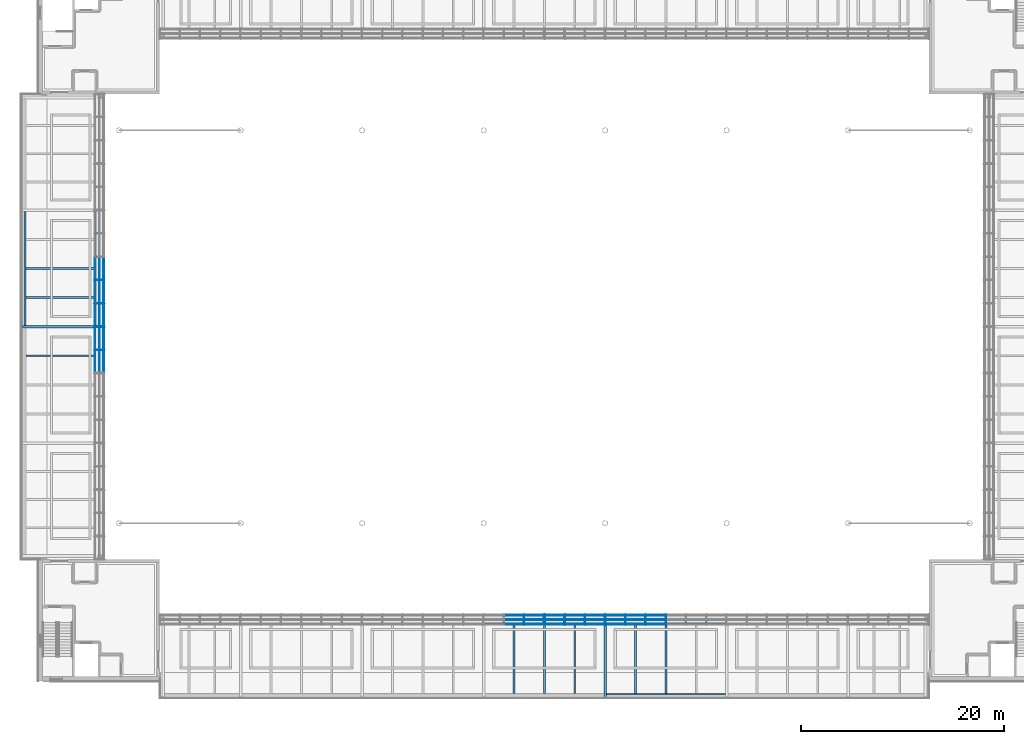
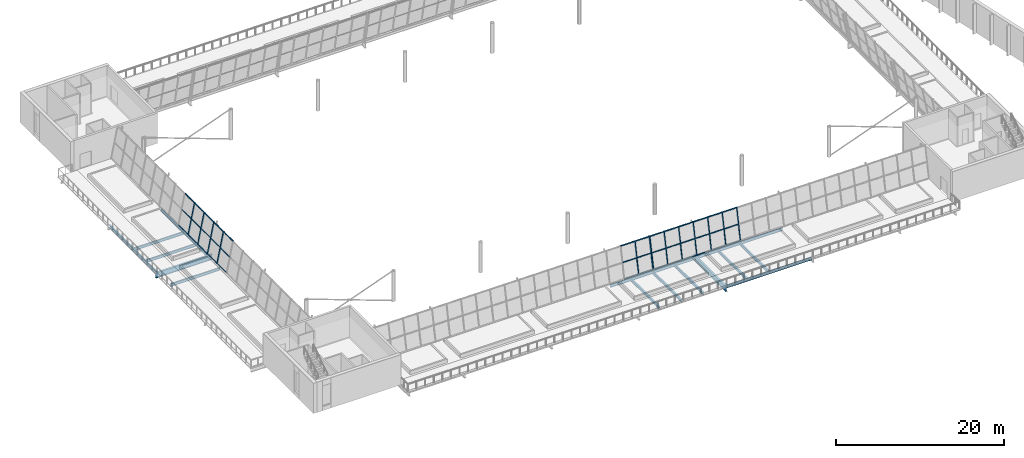
# One storey, part 12 of 58: 52 members, 15 beams, 3 elements without a shape of their own.
"""IFC4 building model written with IfcOpenShell, lengths in metres."""

from ifc_helpers import new_model, si_unit, direction, frame, origin, origin_2d, place, context, subcontext, project, spatial, rectangle, i_section, extrude, material, layer, layer_set, material_profile, profile_set, type_object, element, aggregate, save


model = new_model("IFC4")

# Units and contexts
model_context = context("Model", 3, precision=1e-05, world=origin(), true_north=direction((0.0, 1.0)))
body_context = subcontext(model_context, "Body", "Model", "MODEL_VIEW")
ifc_project = project(units=[si_unit("LENGTHUNIT", "METRE"), si_unit("AREAUNIT", "SQUARE_METRE"), si_unit("VOLUMEUNIT", "CUBIC_METRE"), si_unit("PLANEANGLEUNIT", "RADIAN"), si_unit("MASSUNIT", "GRAM", prefix="KILO")], contexts=[model_context])

# Site, building, storey
site_placement = place(None, origin())
site = spatial("IfcSite", under=ifc_project, at=site_placement, CompositionType="ELEMENT")
building_placement = place(site_placement, origin())
building = spatial("IfcBuilding", under=site, at=building_placement, Name="Windward Yard Aquatics Centre", CompositionType="ELEMENT")
storey_placement = place(building_placement, frame((0.0, 0.0, 13.800048828125)))
storey = spatial("IfcBuildingStorey", under=building, at=storey_placement, Name="L03", CompositionType="ELEMENT", Elevation=13.800048828125)

# Curtain wall, members
ifc_material_1 = material(Name="Glass and aluminium curtain wall", Category="aluminium")
ifc_layer = layer(ifc_material_1, 0.179931640625)
ifc_layer_set = layer_set([ifc_layer], Name="H curtain wall tier 2 double glazed 6+16+6")
curtain_wall_type = type_object("IfcCurtainWallType", Name="H curtain wall tier 2 double glazed 6+16+6", PredefinedType="NOTDEFINED", material=ifc_layer_set)
curtain_wall_1_placement = place(storey_placement, origin())
curtain_wall_1 = element("IfcCurtainWall", 1, at=curtain_wall_1_placement, inside=storey, type_object=curtain_wall_type, Name="Tier 2 glazing S L03", PredefinedType="NOTDEFINED")
ifc_material_2 = material(Name="Aluminium 6063-T6 anodised", Category="aluminium")
ifc_material_profile_1 = material_profile(ifc_material_2, rectangle(XDim=0.06494140625, YDim=0.179931640625, at=origin_2d()), Name="H CW mullion 65x180")
ifc_profile_set_1 = profile_set([ifc_material_profile_1], Name="Aluminium 6063-T6 anodised")
member_type_1 = type_object("IfcMemberType", Name="H CW mullion 65x180", PredefinedType="MULLION", material=ifc_profile_set_1)
member_1_placement = place(storey_placement, frame((99.995361328125, 31.61376953125, 0.017822265625), z_axis=(0.0, 0.199327811945, 0.979932866775), x_axis=(-1.0, 0.0, 0.0)))
member_1 = element("IfcMember", 2, at=member_1_placement, type_object=member_type_1, Name="G2SA mullion 19", PredefinedType="MULLION", context=body_context, shape_type="SweptSolid", body=[
    extrude(rectangle(XDim=0.06494140625, YDim=0.179931640625, at=origin_2d()), origin(), (0.0, 0.0, 1.0), 4.471923828125),
])
member_2_placement = place(storey_placement, frame((101.96240234375, 31.61376953125, 0.017822265625), z_axis=(0.0, 0.199327811945, 0.979932866775), x_axis=(-1.0, 0.0, 0.0)))
member_2 = element("IfcMember", 3, at=member_2_placement, type_object=member_type_1, Name="G2SA mullion 20", PredefinedType="MULLION", context=body_context, shape_type="SweptSolid", body=[
    extrude(rectangle(XDim=0.06494140625, YDim=0.179931640625, at=origin_2d()), origin(), (0.0, 0.0, 1.0), 4.471923828125),
])

curtain_wall_2_placement = place(storey_placement, origin())
curtain_wall_2 = element("IfcCurtainWall", 4, at=curtain_wall_2_placement, inside=storey, type_object=curtain_wall_type, Name="Tier 2 glazing S L03", PredefinedType="NOTDEFINED")
member_3_placement = place(storey_placement, frame((102.03759765625, 31.61376953125, 0.017822265625), z_axis=(0.0, 0.199327811945, 0.979932866775), x_axis=(-1.0, 0.0, 0.0)))
member_3 = element("IfcMember", 5, at=member_3_placement, type_object=member_type_1, Name="G2SB mullion 1", PredefinedType="MULLION", context=body_context, shape_type="SweptSolid", body=[
    extrude(rectangle(XDim=0.06494140625, YDim=0.179931640625, at=origin_2d()), origin(), (0.0, 0.0, 1.0), 4.471923828125),
])
member_4_placement = place(storey_placement, frame((104.004638671875, 31.61376953125, 0.017822265625), z_axis=(0.0, 0.199327811945, 0.979932866775), x_axis=(-1.0, 0.0, 0.0)))
member_4 = element("IfcMember", 6, at=member_4_placement, type_object=member_type_1, Name="G2SB mullion 2", PredefinedType="MULLION", context=body_context, shape_type="SweptSolid", body=[
    extrude(rectangle(XDim=0.06494140625, YDim=0.179931640625, at=origin_2d()), origin(), (0.0, 0.0, 1.0), 4.471923828125),
])
member_5_placement = place(storey_placement, frame((106.00439453125, 31.61376953125, 0.017822265625), z_axis=(0.0, 0.199327811945, 0.979932866775), x_axis=(-1.0, 0.0, 0.0)))
member_5 = element("IfcMember", 7, at=member_5_placement, type_object=member_type_1, Name="G2SB mullion 3", PredefinedType="MULLION", context=body_context, shape_type="SweptSolid", body=[
    extrude(rectangle(XDim=0.06494140625, YDim=0.179931640625, at=origin_2d()), origin(), (0.0, 0.0, 1.0), 4.471923828125),
])
member_6_placement = place(storey_placement, frame((108.004150390625, 31.61376953125, 0.017822265625), z_axis=(0.0, 0.199327811945, 0.979932866775), x_axis=(-1.0, 0.0, 0.0)))
member_6 = element("IfcMember", 8, at=member_6_placement, type_object=member_type_1, Name="G2SB mullion 4", PredefinedType="MULLION", context=body_context, shape_type="SweptSolid", body=[
    extrude(rectangle(XDim=0.06494140625, YDim=0.179931640625, at=origin_2d()), origin(), (0.0, 0.0, 1.0), 4.471923828125),
])
member_7_placement = place(storey_placement, frame((110.00390625, 31.61376953125, 0.017822265625), z_axis=(0.0, 0.199327811945, 0.979932866775), x_axis=(-1.0, 0.0, 0.0)))
member_7 = element("IfcMember", 9, at=member_7_placement, type_object=member_type_1, Name="G2SB mullion 5", PredefinedType="MULLION", context=body_context, shape_type="SweptSolid", body=[
    extrude(rectangle(XDim=0.06494140625, YDim=0.179931640625, at=origin_2d()), origin(), (0.0, 0.0, 1.0), 4.471923828125),
])
member_8_placement = place(storey_placement, frame((112.003662109375, 31.61376953125, 0.017822265625), z_axis=(0.0, 0.199327811945, 0.979932866775), x_axis=(-1.0, 0.0, 0.0)))
member_8 = element("IfcMember", 10, at=member_8_placement, type_object=member_type_1, Name="G2SB mullion 6", PredefinedType="MULLION", context=body_context, shape_type="SweptSolid", body=[
    extrude(rectangle(XDim=0.06494140625, YDim=0.179931640625, at=origin_2d()), origin(), (0.0, 0.0, 1.0), 4.471923828125),
])
member_9_placement = place(storey_placement, frame((114.00341796875, 31.61376953125, 0.017822265625), z_axis=(0.0, 0.199327811945, 0.979932866775), x_axis=(-1.0, 0.0, 0.0)))
member_9 = element("IfcMember", 11, at=member_9_placement, type_object=member_type_1, Name="G2SB mullion 7", PredefinedType="MULLION", context=body_context, shape_type="SweptSolid", body=[
    extrude(rectangle(XDim=0.06494140625, YDim=0.179931640625, at=origin_2d()), origin(), (0.0, 0.0, 1.0), 4.471923828125),
])

curtain_wall_3_placement = place(storey_placement, origin())
curtain_wall_3 = element("IfcCurtainWall", 12, at=curtain_wall_3_placement, inside=storey, type_object=curtain_wall_type, Name="Tier 2 glazing W L03", PredefinedType="NOTDEFINED")
member_10_placement = place(storey_placement, frame((57.61376953125, 58.699951171875, 0.017822265625), z_axis=(0.199327811945, 0.0, 0.979932866775), x_axis=(0.0, 1.0, 0.0)))
member_10 = element("IfcMember", 13, at=member_10_placement, type_object=member_type_1, Name="G2WA mullion 10", PredefinedType="MULLION", context=body_context, shape_type="SweptSolid", body=[
    extrude(rectangle(XDim=0.06494140625, YDim=0.179931640625, at=origin_2d()), origin(), (0.0, 0.0, 1.0), 4.471923828125),
])
member_11_placement = place(storey_placement, frame((57.61376953125, 61.0, 0.017822265625), z_axis=(0.199327811945, 0.0, 0.979932866775), x_axis=(0.0, 1.0, 0.0)))
member_11 = element("IfcMember", 14, at=member_11_placement, type_object=member_type_1, Name="G2WA mullion 11", PredefinedType="MULLION", context=body_context, shape_type="SweptSolid", body=[
    extrude(rectangle(XDim=0.06494140625, YDim=0.179931640625, at=origin_2d()), origin(), (0.0, 0.0, 1.0), 4.471923828125),
])
member_12_placement = place(storey_placement, frame((57.61376953125, 63.300048828125, 0.017822265625), z_axis=(0.199327811945, 0.0, 0.979932866775), x_axis=(0.0, 1.0, 0.0)))
member_12 = element("IfcMember", 15, at=member_12_placement, type_object=member_type_1, Name="G2WA mullion 12", PredefinedType="MULLION", context=body_context, shape_type="SweptSolid", body=[
    extrude(rectangle(XDim=0.06494140625, YDim=0.179931640625, at=origin_2d()), origin(), (0.0, 0.0, 1.0), 4.471923828125),
])
member_13_placement = place(storey_placement, frame((57.61376953125, 65.60009765625, 0.017822265625), z_axis=(0.199327811945, 0.0, 0.979932866775), x_axis=(0.0, 1.0, 0.0)))
member_13 = element("IfcMember", 16, at=member_13_placement, type_object=member_type_1, Name="G2WA mullion 13", PredefinedType="MULLION", context=body_context, shape_type="SweptSolid", body=[
    extrude(rectangle(XDim=0.06494140625, YDim=0.179931640625, at=origin_2d()), origin(), (0.0, 0.0, 1.0), 4.471923828125),
])

# Member
ifc_material_profile_2 = material_profile(ifc_material_2, rectangle(XDim=0.06494140625, YDim=0.10009765625, at=origin_2d()), Name="H CW transom 65x100")
ifc_profile_set_2 = profile_set([ifc_material_profile_2], Name="Aluminium 6063-T6 anodised")
member_type_2 = type_object("IfcMemberType", Name="H CW transom 65x100", PredefinedType="USERDEFINED", material=ifc_profile_set_2)
member_14_placement = place(storey_placement, frame((98.028076171875, 31.621337890625, 0.055419921875), z_axis=(1.0, 0.0, 0.0), x_axis=(0.0, -0.979924704642, 0.199367934315)))
member_14 = element("IfcMember", 17, at=member_14_placement, type_object=member_type_2, Name="G2SA transom 18.1", ObjectType="TRANSOM", PredefinedType="USERDEFINED", context=body_context, shape_type="SweptSolid", body=[
    extrude(rectangle(XDim=0.06494140625, YDim=0.10009765625, at=origin_2d()), origin(), (0.0, 0.0, 1.0), 1.9345703125),
])

member_15_placement = place(storey_placement, frame((98.028076171875, 32.0576171875, 2.199951171875), z_axis=(1.0, 0.0, 0.0), x_axis=(0.0, -0.979924704642, 0.199367934315)))
member_15 = element("IfcMember", 18, at=member_15_placement, type_object=member_type_2, Name="G2SA transom 18.2", ObjectType="TRANSOM", PredefinedType="USERDEFINED", context=body_context, shape_type="SweptSolid", body=[
    extrude(rectangle(XDim=0.06494140625, YDim=0.10009765625, at=origin_2d()), origin(), (0.0, 0.0, 1.0), 1.9345703125),
])

member_16_placement = place(storey_placement, frame((98.028076171875, 32.4951171875, 4.35107421875), z_axis=(1.0, 0.0, 0.0), x_axis=(0.0, -0.979924704642, 0.199367934315)))
member_16 = element("IfcMember", 19, at=member_16_placement, type_object=member_type_2, Name="G2SA transom 18.3", ObjectType="TRANSOM", PredefinedType="USERDEFINED", context=body_context, shape_type="SweptSolid", body=[
    extrude(rectangle(XDim=0.06494140625, YDim=0.10009765625, at=origin_2d()), origin(), (0.0, 0.0, 1.0), 1.9345703125),
])

member_17_placement = place(storey_placement, frame((100.02783203125, 31.621337890625, 0.055419921875), z_axis=(1.0, 0.0, 0.0), x_axis=(0.0, -0.979924704642, 0.199367934315)))
member_17 = element("IfcMember", 20, at=member_17_placement, type_object=member_type_2, Name="G2SA transom 19.1", ObjectType="TRANSOM", PredefinedType="USERDEFINED", context=body_context, shape_type="SweptSolid", body=[
    extrude(rectangle(XDim=0.06494140625, YDim=0.10009765625, at=origin_2d()), origin(), (0.0, 0.0, 1.0), 1.902099609375),
])

member_18_placement = place(storey_placement, frame((100.02783203125, 32.0576171875, 2.199951171875), z_axis=(1.0, 0.0, 0.0), x_axis=(0.0, -0.979924704642, 0.199367934315)))
member_18 = element("IfcMember", 21, at=member_18_placement, type_object=member_type_2, Name="G2SA transom 19.2", ObjectType="TRANSOM", PredefinedType="USERDEFINED", context=body_context, shape_type="SweptSolid", body=[
    extrude(rectangle(XDim=0.06494140625, YDim=0.10009765625, at=origin_2d()), origin(), (0.0, 0.0, 1.0), 1.902099609375),
])

member_19_placement = place(storey_placement, frame((100.02783203125, 32.4951171875, 4.35107421875), z_axis=(1.0, 0.0, 0.0), x_axis=(0.0, -0.979924704642, 0.199367934315)))
member_19 = element("IfcMember", 22, at=member_19_placement, type_object=member_type_2, Name="G2SA transom 19.3", ObjectType="TRANSOM", PredefinedType="USERDEFINED", context=body_context, shape_type="SweptSolid", body=[
    extrude(rectangle(XDim=0.06494140625, YDim=0.10009765625, at=origin_2d()), origin(), (0.0, 0.0, 1.0), 1.902099609375),
])

aggregate(curtain_wall_1, [member_1, member_2, member_14, member_15, member_16, member_17, member_18, member_19])

member_20_placement = place(storey_placement, frame((102.070068359375, 31.621337890625, 0.055419921875), z_axis=(1.0, 0.0, 0.0), x_axis=(0.0, -0.979924704642, 0.199367934315)))
member_20 = element("IfcMember", 23, at=member_20_placement, type_object=member_type_2, Name="G2SB transom 1.1", ObjectType="TRANSOM", PredefinedType="USERDEFINED", context=body_context, shape_type="SweptSolid", body=[
    extrude(rectangle(XDim=0.06494140625, YDim=0.10009765625, at=origin_2d()), origin(), (0.0, 0.0, 1.0), 1.902099609375),
])

member_21_placement = place(storey_placement, frame((102.070068359375, 32.0576171875, 2.199951171875), z_axis=(1.0, 0.0, 0.0), x_axis=(0.0, -0.979924704642, 0.199367934315)))
member_21 = element("IfcMember", 24, at=member_21_placement, type_object=member_type_2, Name="G2SB transom 1.2", ObjectType="TRANSOM", PredefinedType="USERDEFINED", context=body_context, shape_type="SweptSolid", body=[
    extrude(rectangle(XDim=0.06494140625, YDim=0.10009765625, at=origin_2d()), origin(), (0.0, 0.0, 1.0), 1.902099609375),
])

member_22_placement = place(storey_placement, frame((102.070068359375, 32.4951171875, 4.35107421875), z_axis=(1.0, 0.0, 0.0), x_axis=(0.0, -0.979924704642, 0.199367934315)))
member_22 = element("IfcMember", 25, at=member_22_placement, type_object=member_type_2, Name="G2SB transom 1.3", ObjectType="TRANSOM", PredefinedType="USERDEFINED", context=body_context, shape_type="SweptSolid", body=[
    extrude(rectangle(XDim=0.06494140625, YDim=0.10009765625, at=origin_2d()), origin(), (0.0, 0.0, 1.0), 1.902099609375),
])

member_23_placement = place(storey_placement, frame((104.037353515625, 31.621337890625, 0.055419921875), z_axis=(1.0, 0.0, 0.0), x_axis=(0.0, -0.979924704642, 0.199367934315)))
member_23 = element("IfcMember", 26, at=member_23_placement, type_object=member_type_2, Name="G2SB transom 2.1", ObjectType="TRANSOM", PredefinedType="USERDEFINED", context=body_context, shape_type="SweptSolid", body=[
    extrude(rectangle(XDim=0.06494140625, YDim=0.10009765625, at=origin_2d()), origin(), (0.0, 0.0, 1.0), 1.9345703125),
])

member_24_placement = place(storey_placement, frame((104.037353515625, 32.0576171875, 2.199951171875), z_axis=(1.0, 0.0, 0.0), x_axis=(0.0, -0.979924704642, 0.199367934315)))
member_24 = element("IfcMember", 27, at=member_24_placement, type_object=member_type_2, Name="G2SB transom 2.2", ObjectType="TRANSOM", PredefinedType="USERDEFINED", context=body_context, shape_type="SweptSolid", body=[
    extrude(rectangle(XDim=0.06494140625, YDim=0.10009765625, at=origin_2d()), origin(), (0.0, 0.0, 1.0), 1.9345703125),
])

member_25_placement = place(storey_placement, frame((104.037353515625, 32.4951171875, 4.35107421875), z_axis=(1.0, 0.0, 0.0), x_axis=(0.0, -0.979924704642, 0.199367934315)))
member_25 = element("IfcMember", 28, at=member_25_placement, type_object=member_type_2, Name="G2SB transom 2.3", ObjectType="TRANSOM", PredefinedType="USERDEFINED", context=body_context, shape_type="SweptSolid", body=[
    extrude(rectangle(XDim=0.06494140625, YDim=0.10009765625, at=origin_2d()), origin(), (0.0, 0.0, 1.0), 1.9345703125),
])

member_26_placement = place(storey_placement, frame((106.036865234375, 31.621337890625, 0.055419921875), z_axis=(1.0, 0.0, 0.0), x_axis=(0.0, -0.979924704642, 0.199367934315)))
member_26 = element("IfcMember", 29, at=member_26_placement, type_object=member_type_2, Name="G2SB transom 3.1", ObjectType="TRANSOM", PredefinedType="USERDEFINED", context=body_context, shape_type="SweptSolid", body=[
    extrude(rectangle(XDim=0.06494140625, YDim=0.10009765625, at=origin_2d()), origin(), (0.0, 0.0, 1.0), 1.934814453125),
])

member_27_placement = place(storey_placement, frame((106.036865234375, 32.0576171875, 2.199951171875), z_axis=(1.0, 0.0, 0.0), x_axis=(0.0, -0.979924704642, 0.199367934315)))
member_27 = element("IfcMember", 30, at=member_27_placement, type_object=member_type_2, Name="G2SB transom 3.2", ObjectType="TRANSOM", PredefinedType="USERDEFINED", context=body_context, shape_type="SweptSolid", body=[
    extrude(rectangle(XDim=0.06494140625, YDim=0.10009765625, at=origin_2d()), origin(), (0.0, 0.0, 1.0), 1.934814453125),
])

member_28_placement = place(storey_placement, frame((106.036865234375, 32.4951171875, 4.35107421875), z_axis=(1.0, 0.0, 0.0), x_axis=(0.0, -0.979924704642, 0.199367934315)))
member_28 = element("IfcMember", 31, at=member_28_placement, type_object=member_type_2, Name="G2SB transom 3.3", ObjectType="TRANSOM", PredefinedType="USERDEFINED", context=body_context, shape_type="SweptSolid", body=[
    extrude(rectangle(XDim=0.06494140625, YDim=0.10009765625, at=origin_2d()), origin(), (0.0, 0.0, 1.0), 1.934814453125),
])

member_29_placement = place(storey_placement, frame((108.03662109375, 31.621337890625, 0.055419921875), z_axis=(1.0, 0.0, 0.0), x_axis=(0.0, -0.979924704642, 0.199367934315)))
member_29 = element("IfcMember", 32, at=member_29_placement, type_object=member_type_2, Name="G2SB transom 4.1", ObjectType="TRANSOM", PredefinedType="USERDEFINED", context=body_context, shape_type="SweptSolid", body=[
    extrude(rectangle(XDim=0.06494140625, YDim=0.10009765625, at=origin_2d()), origin(), (0.0, 0.0, 1.0), 1.934814453125),
])

member_30_placement = place(storey_placement, frame((108.03662109375, 32.0576171875, 2.199951171875), z_axis=(1.0, 0.0, 0.0), x_axis=(0.0, -0.979924704642, 0.199367934315)))
member_30 = element("IfcMember", 33, at=member_30_placement, type_object=member_type_2, Name="G2SB transom 4.2", ObjectType="TRANSOM", PredefinedType="USERDEFINED", context=body_context, shape_type="SweptSolid", body=[
    extrude(rectangle(XDim=0.06494140625, YDim=0.10009765625, at=origin_2d()), origin(), (0.0, 0.0, 1.0), 1.934814453125),
])

member_31_placement = place(storey_placement, frame((108.03662109375, 32.4951171875, 4.35107421875), z_axis=(1.0, 0.0, 0.0), x_axis=(0.0, -0.979924704642, 0.199367934315)))
member_31 = element("IfcMember", 34, at=member_31_placement, type_object=member_type_2, Name="G2SB transom 4.3", ObjectType="TRANSOM", PredefinedType="USERDEFINED", context=body_context, shape_type="SweptSolid", body=[
    extrude(rectangle(XDim=0.06494140625, YDim=0.10009765625, at=origin_2d()), origin(), (0.0, 0.0, 1.0), 1.934814453125),
])

member_32_placement = place(storey_placement, frame((110.036376953125, 31.621337890625, 0.055419921875), z_axis=(1.0, 0.0, 0.0), x_axis=(0.0, -0.979924704642, 0.199367934315)))
member_32 = element("IfcMember", 35, at=member_32_placement, type_object=member_type_2, Name="G2SB transom 5.1", ObjectType="TRANSOM", PredefinedType="USERDEFINED", context=body_context, shape_type="SweptSolid", body=[
    extrude(rectangle(XDim=0.06494140625, YDim=0.10009765625, at=origin_2d()), origin(), (0.0, 0.0, 1.0), 1.934814453125),
])

member_33_placement = place(storey_placement, frame((110.036376953125, 32.0576171875, 2.199951171875), z_axis=(1.0, 0.0, 0.0), x_axis=(0.0, -0.979924704642, 0.199367934315)))
member_33 = element("IfcMember", 36, at=member_33_placement, type_object=member_type_2, Name="G2SB transom 5.2", ObjectType="TRANSOM", PredefinedType="USERDEFINED", context=body_context, shape_type="SweptSolid", body=[
    extrude(rectangle(XDim=0.06494140625, YDim=0.10009765625, at=origin_2d()), origin(), (0.0, 0.0, 1.0), 1.934814453125),
])

member_34_placement = place(storey_placement, frame((110.036376953125, 32.4951171875, 4.35107421875), z_axis=(1.0, 0.0, 0.0), x_axis=(0.0, -0.979924704642, 0.199367934315)))
member_34 = element("IfcMember", 37, at=member_34_placement, type_object=member_type_2, Name="G2SB transom 5.3", ObjectType="TRANSOM", PredefinedType="USERDEFINED", context=body_context, shape_type="SweptSolid", body=[
    extrude(rectangle(XDim=0.06494140625, YDim=0.10009765625, at=origin_2d()), origin(), (0.0, 0.0, 1.0), 1.934814453125),
])

member_35_placement = place(storey_placement, frame((112.0361328125, 31.621337890625, 0.055419921875), z_axis=(1.0, 0.0, 0.0), x_axis=(0.0, -0.979924704642, 0.199367934315)))
member_35 = element("IfcMember", 38, at=member_35_placement, type_object=member_type_2, Name="G2SB transom 6.1", ObjectType="TRANSOM", PredefinedType="USERDEFINED", context=body_context, shape_type="SweptSolid", body=[
    extrude(rectangle(XDim=0.06494140625, YDim=0.10009765625, at=origin_2d()), origin(), (0.0, 0.0, 1.0), 1.934814453125),
])

member_36_placement = place(storey_placement, frame((112.0361328125, 32.0576171875, 2.199951171875), z_axis=(1.0, 0.0, 0.0), x_axis=(0.0, -0.979924704642, 0.199367934315)))
member_36 = element("IfcMember", 39, at=member_36_placement, type_object=member_type_2, Name="G2SB transom 6.2", ObjectType="TRANSOM", PredefinedType="USERDEFINED", context=body_context, shape_type="SweptSolid", body=[
    extrude(rectangle(XDim=0.06494140625, YDim=0.10009765625, at=origin_2d()), origin(), (0.0, 0.0, 1.0), 1.934814453125),
])

member_37_placement = place(storey_placement, frame((112.0361328125, 32.4951171875, 4.35107421875), z_axis=(1.0, 0.0, 0.0), x_axis=(0.0, -0.979924704642, 0.199367934315)))
member_37 = element("IfcMember", 40, at=member_37_placement, type_object=member_type_2, Name="G2SB transom 6.3", ObjectType="TRANSOM", PredefinedType="USERDEFINED", context=body_context, shape_type="SweptSolid", body=[
    extrude(rectangle(XDim=0.06494140625, YDim=0.10009765625, at=origin_2d()), origin(), (0.0, 0.0, 1.0), 1.934814453125),
])

aggregate(curtain_wall_2, [member_3, member_4, member_5, member_6, member_7, member_8, member_9, member_20, member_21, member_22, member_23, member_24, member_25, member_26, member_27, member_28, member_29, member_30, member_31, member_32, member_33, member_34, member_35, member_36, member_37])

member_38_placement = place(storey_placement, frame((57.621337890625, 56.4326171875, 0.055419921875), z_axis=(0.0, 1.0, 0.0), x_axis=(-0.979924704642, 0.0, 0.199367934315)))
member_38 = element("IfcMember", 41, at=member_38_placement, type_object=member_type_2, Name="G2WA transom 9.1", ObjectType="TRANSOM", PredefinedType="USERDEFINED", context=body_context, shape_type="SweptSolid", body=[
    extrude(rectangle(XDim=0.06494140625, YDim=0.10009765625, at=origin_2d()), origin(), (0.0, 0.0, 1.0), 2.23486328125),
])

member_39_placement = place(storey_placement, frame((58.0576171875, 56.4326171875, 2.199951171875), z_axis=(0.0, 1.0, 0.0), x_axis=(-0.979924704642, 0.0, 0.199367934315)))
member_39 = element("IfcMember", 42, at=member_39_placement, type_object=member_type_2, Name="G2WA transom 9.2", ObjectType="TRANSOM", PredefinedType="USERDEFINED", context=body_context, shape_type="SweptSolid", body=[
    extrude(rectangle(XDim=0.06494140625, YDim=0.10009765625, at=origin_2d()), origin(), (0.0, 0.0, 1.0), 2.23486328125),
])

member_40_placement = place(storey_placement, frame((58.4951171875, 56.4326171875, 4.35107421875), z_axis=(0.0, 1.0, 0.0), x_axis=(-0.979924704642, 0.0, 0.199367934315)))
member_40 = element("IfcMember", 43, at=member_40_placement, type_object=member_type_2, Name="G2WA transom 9.3", ObjectType="TRANSOM", PredefinedType="USERDEFINED", context=body_context, shape_type="SweptSolid", body=[
    extrude(rectangle(XDim=0.06494140625, YDim=0.10009765625, at=origin_2d()), origin(), (0.0, 0.0, 1.0), 2.23486328125),
])

member_41_placement = place(storey_placement, frame((57.621337890625, 58.732421875, 0.055419921875), z_axis=(0.0, 1.0, 0.0), x_axis=(-0.979924704642, 0.0, 0.199367934315)))
member_41 = element("IfcMember", 44, at=member_41_placement, type_object=member_type_2, Name="G2WA transom 10.1", ObjectType="TRANSOM", PredefinedType="USERDEFINED", context=body_context, shape_type="SweptSolid", body=[
    extrude(rectangle(XDim=0.06494140625, YDim=0.10009765625, at=origin_2d()), origin(), (0.0, 0.0, 1.0), 2.235107421875),
])

member_42_placement = place(storey_placement, frame((58.0576171875, 58.732421875, 2.199951171875), z_axis=(0.0, 1.0, 0.0), x_axis=(-0.979924704642, 0.0, 0.199367934315)))
member_42 = element("IfcMember", 45, at=member_42_placement, type_object=member_type_2, Name="G2WA transom 10.2", ObjectType="TRANSOM", PredefinedType="USERDEFINED", context=body_context, shape_type="SweptSolid", body=[
    extrude(rectangle(XDim=0.06494140625, YDim=0.10009765625, at=origin_2d()), origin(), (0.0, 0.0, 1.0), 2.235107421875),
])

member_43_placement = place(storey_placement, frame((58.4951171875, 58.732421875, 4.35107421875), z_axis=(0.0, 1.0, 0.0), x_axis=(-0.979924704642, 0.0, 0.199367934315)))
member_43 = element("IfcMember", 46, at=member_43_placement, type_object=member_type_2, Name="G2WA transom 10.3", ObjectType="TRANSOM", PredefinedType="USERDEFINED", context=body_context, shape_type="SweptSolid", body=[
    extrude(rectangle(XDim=0.06494140625, YDim=0.10009765625, at=origin_2d()), origin(), (0.0, 0.0, 1.0), 2.235107421875),
])

member_44_placement = place(storey_placement, frame((57.621337890625, 61.032470703125, 0.055419921875), z_axis=(0.0, 1.0, 0.0), x_axis=(-0.979924704642, 0.0, 0.199367934315)))
member_44 = element("IfcMember", 47, at=member_44_placement, type_object=member_type_2, Name="G2WA transom 11.1", ObjectType="TRANSOM", PredefinedType="USERDEFINED", context=body_context, shape_type="SweptSolid", body=[
    extrude(rectangle(XDim=0.06494140625, YDim=0.10009765625, at=origin_2d()), origin(), (0.0, 0.0, 1.0), 2.235107421875),
])

member_45_placement = place(storey_placement, frame((58.0576171875, 61.032470703125, 2.199951171875), z_axis=(0.0, 1.0, 0.0), x_axis=(-0.979924704642, 0.0, 0.199367934315)))
member_45 = element("IfcMember", 48, at=member_45_placement, type_object=member_type_2, Name="G2WA transom 11.2", ObjectType="TRANSOM", PredefinedType="USERDEFINED", context=body_context, shape_type="SweptSolid", body=[
    extrude(rectangle(XDim=0.06494140625, YDim=0.10009765625, at=origin_2d()), origin(), (0.0, 0.0, 1.0), 2.235107421875),
])

member_46_placement = place(storey_placement, frame((58.4951171875, 61.032470703125, 4.35107421875), z_axis=(0.0, 1.0, 0.0), x_axis=(-0.979924704642, 0.0, 0.199367934315)))
member_46 = element("IfcMember", 49, at=member_46_placement, type_object=member_type_2, Name="G2WA transom 11.3", ObjectType="TRANSOM", PredefinedType="USERDEFINED", context=body_context, shape_type="SweptSolid", body=[
    extrude(rectangle(XDim=0.06494140625, YDim=0.10009765625, at=origin_2d()), origin(), (0.0, 0.0, 1.0), 2.235107421875),
])

member_47_placement = place(storey_placement, frame((57.621337890625, 63.33251953125, 0.055419921875), z_axis=(0.0, 1.0, 0.0), x_axis=(-0.979924704642, 0.0, 0.199367934315)))
member_47 = element("IfcMember", 50, at=member_47_placement, type_object=member_type_2, Name="G2WA transom 12.1", ObjectType="TRANSOM", PredefinedType="USERDEFINED", context=body_context, shape_type="SweptSolid", body=[
    extrude(rectangle(XDim=0.06494140625, YDim=0.10009765625, at=origin_2d()), origin(), (0.0, 0.0, 1.0), 2.23486328125),
])

member_48_placement = place(storey_placement, frame((58.0576171875, 63.33251953125, 2.199951171875), z_axis=(0.0, 1.0, 0.0), x_axis=(-0.979924704642, 0.0, 0.199367934315)))
member_48 = element("IfcMember", 51, at=member_48_placement, type_object=member_type_2, Name="G2WA transom 12.2", ObjectType="TRANSOM", PredefinedType="USERDEFINED", context=body_context, shape_type="SweptSolid", body=[
    extrude(rectangle(XDim=0.06494140625, YDim=0.10009765625, at=origin_2d()), origin(), (0.0, 0.0, 1.0), 2.23486328125),
])

member_49_placement = place(storey_placement, frame((58.4951171875, 63.33251953125, 4.35107421875), z_axis=(0.0, 1.0, 0.0), x_axis=(-0.979924704642, 0.0, 0.199367934315)))
member_49 = element("IfcMember", 52, at=member_49_placement, type_object=member_type_2, Name="G2WA transom 12.3", ObjectType="TRANSOM", PredefinedType="USERDEFINED", context=body_context, shape_type="SweptSolid", body=[
    extrude(rectangle(XDim=0.06494140625, YDim=0.10009765625, at=origin_2d()), origin(), (0.0, 0.0, 1.0), 2.23486328125),
])

member_50_placement = place(storey_placement, frame((57.621337890625, 65.632568359375, 0.055419921875), z_axis=(0.0, 1.0, 0.0), x_axis=(-0.979924704642, 0.0, 0.199367934315)))
member_50 = element("IfcMember", 53, at=member_50_placement, type_object=member_type_2, Name="G2WA transom 13.1", ObjectType="TRANSOM", PredefinedType="USERDEFINED", context=body_context, shape_type="SweptSolid", body=[
    extrude(rectangle(XDim=0.06494140625, YDim=0.10009765625, at=origin_2d()), origin(), (0.0, 0.0, 1.0), 2.23486328125),
])

member_51_placement = place(storey_placement, frame((58.0576171875, 65.632568359375, 2.199951171875), z_axis=(0.0, 1.0, 0.0), x_axis=(-0.979924704642, 0.0, 0.199367934315)))
member_51 = element("IfcMember", 54, at=member_51_placement, type_object=member_type_2, Name="G2WA transom 13.2", ObjectType="TRANSOM", PredefinedType="USERDEFINED", context=body_context, shape_type="SweptSolid", body=[
    extrude(rectangle(XDim=0.06494140625, YDim=0.10009765625, at=origin_2d()), origin(), (0.0, 0.0, 1.0), 2.23486328125),
])

member_52_placement = place(storey_placement, frame((58.4951171875, 65.632568359375, 4.35107421875), z_axis=(0.0, 1.0, 0.0), x_axis=(-0.979924704642, 0.0, 0.199367934315)))
member_52 = element("IfcMember", 55, at=member_52_placement, type_object=member_type_2, Name="G2WA transom 13.3", ObjectType="TRANSOM", PredefinedType="USERDEFINED", context=body_context, shape_type="SweptSolid", body=[
    extrude(rectangle(XDim=0.06494140625, YDim=0.10009765625, at=origin_2d()), origin(), (0.0, 0.0, 1.0), 2.23486328125),
])

aggregate(curtain_wall_3, [member_10, member_11, member_12, member_13, member_38, member_39, member_40, member_41, member_42, member_43, member_44, member_45, member_46, member_47, member_48, member_49, member_50, member_51, member_52])

# Beams
ifc_material_3 = material(Name="Steel ASTM A992 Gr 50", Category="steel")
ifc_material_profile_3 = material_profile(ifc_material_3, i_section(OverallWidth=0.177978515625, OverallDepth=0.406005859375, WebThickness=0.0078125, FlangeThickness=0.0126953125, at=origin_2d()), Name="W410X60")
ifc_profile_set_3 = profile_set([ifc_material_profile_3], Name="Steel ASTM A992 Gr 50")
beam_type_1 = type_object("IfcBeamType", Name="H terrace secondary beam W410X60", PredefinedType="BEAM", material=ifc_profile_set_3)
beam_placement = place(storey_placement, frame((96.133544921875, 31.709716796875, -0.35302734375), z_axis=(1.0, 0.0, 0.0), x_axis=(0.0, 1.0, 0.0)))
element("IfcBeam", 56, at=beam_placement, inside=storey, type_object=beam_type_1, Name="H.T1E.S4.I", PredefinedType="BEAM", context=body_context, shape_type="SweptSolid", body=[
    extrude(i_section(OverallWidth=0.177978515625, OverallDepth=0.406005859375, WebThickness=0.0078125, FlangeThickness=0.0126953125, at=origin_2d()), origin(), (0.0, 0.0, 1.0), 11.73291015625),
])
for number, where, z_axis, x_axis, name in (
    (57, (99.0, 24.7880859375, -0.35302734375), (0.0, 1.0, 0.0), (-1.0, 0.0, 0.0), "H.T1S.S4.1"),
    (58, (102.0, 24.7880859375, -0.35302734375), (0.0, 1.0, 0.0), (-1.0, 0.0, 0.0), "H.T1S.S4.2"),
    (59, (105.0, 24.7880859375, -0.35302734375), (0.0, 1.0, 0.0), (-1.0, 0.0, 0.0), "H.T1S.S4.3"),
):
    element("IfcBeam", number, at=place(storey_placement, frame(where, z_axis=z_axis, x_axis=x_axis)), inside=storey, type_object=beam_type_1, Name=name, PredefinedType="BEAM", context=body_context, shape_type="SweptSolid", body=[
        extrude(i_section(OverallWidth=0.177978515625, OverallDepth=0.406005859375, WebThickness=0.0078125, FlangeThickness=0.0126953125, at=origin_2d()), origin(), (0.0, 0.0, 1.0), 6.83251953125),
    ])
for number, where, z_axis, x_axis, name in (
    (60, (108.133544921875, 24.698974609375, -0.35302734375), (1.0, 0.0, 0.0), (0.0, 1.0, 0.0), "H.T1E.S5.O"),
    (61, (108.133544921875, 31.709716796875, -0.35302734375), (1.0, 0.0, 0.0), (0.0, 1.0, 0.0), "H.T1E.S5.I"),
):
    element("IfcBeam", number, at=place(storey_placement, frame(where, z_axis=z_axis, x_axis=x_axis)), inside=storey, type_object=beam_type_1, Name=name, PredefinedType="BEAM", context=body_context, shape_type="SweptSolid", body=[
        extrude(i_section(OverallWidth=0.177978515625, OverallDepth=0.406005859375, WebThickness=0.0078125, FlangeThickness=0.0126953125, at=origin_2d()), origin(), (0.0, 0.0, 1.0), 11.73291015625),
    ])
for number, where, z_axis, x_axis, name in (
    (62, (111.0, 24.7880859375, -0.35302734375), (0.0, 1.0, 0.0), (-1.0, 0.0, 0.0), "H.T1S.S5.1"),
    (63, (114.0, 24.7880859375, -0.35302734375), (0.0, 1.0, 0.0), (-1.0, 0.0, 0.0), "H.T1S.S5.2"),
    (64, (50.7880859375, 58.125, -0.35302734375), (1.0, 0.0, 0.0), (0.0, 1.0, 0.0), "H.T1S.W2.3"),
):
    element("IfcBeam", number, at=place(storey_placement, frame(where, z_axis=z_axis, x_axis=x_axis)), inside=storey, type_object=beam_type_1, Name=name, PredefinedType="BEAM", context=body_context, shape_type="SweptSolid", body=[
        extrude(i_section(OverallWidth=0.177978515625, OverallDepth=0.406005859375, WebThickness=0.0078125, FlangeThickness=0.0126953125, at=origin_2d()), origin(), (0.0, 0.0, 1.0), 6.83251953125),
    ])
for number, where, z_axis, x_axis, name in (
    (65, (50.698974609375, 61.133544921875, -0.35302734375), (0.0, 1.0, 0.0), (-1.0, 0.0, 0.0), "H.T1E.W3.O"),
    (66, (57.709716796875, 61.133544921875, -0.35302734375), (0.0, 1.0, 0.0), (-1.0, 0.0, 0.0), "H.T1E.W3.I"),
):
    element("IfcBeam", number, at=place(storey_placement, frame(where, z_axis=z_axis, x_axis=x_axis)), inside=storey, type_object=beam_type_1, Name=name, PredefinedType="BEAM", context=body_context, shape_type="SweptSolid", body=[
        extrude(i_section(OverallWidth=0.177978515625, OverallDepth=0.406005859375, WebThickness=0.0078125, FlangeThickness=0.0126953125, at=origin_2d()), origin(), (0.0, 0.0, 1.0), 11.23291015625),
    ])
for number, where, z_axis, x_axis, name in (
    (67, (50.7880859375, 63.875, -0.35302734375), (1.0, 0.0, 0.0), (0.0, 1.0, 0.0), "H.T1S.W3.1"),
    (68, (50.7880859375, 66.75, -0.35302734375), (1.0, 0.0, 0.0), (0.0, 1.0, 0.0), "H.T1S.W3.2"),
):
    element("IfcBeam", number, at=place(storey_placement, frame(where, z_axis=z_axis, x_axis=x_axis)), inside=storey, type_object=beam_type_1, Name=name, PredefinedType="BEAM", context=body_context, shape_type="SweptSolid", body=[
        extrude(i_section(OverallWidth=0.177978515625, OverallDepth=0.406005859375, WebThickness=0.0078125, FlangeThickness=0.0126953125, at=origin_2d()), origin(), (0.0, 0.0, 1.0), 6.83251953125),
    ])
ifc_material_profile_4 = material_profile(ifc_material_3, i_section(OverallWidth=0.26708984375, OverallDepth=0.75390625, WebThickness=0.01318359375, FlangeThickness=0.01708984375, at=origin_2d()), Name="W760X147")
ifc_profile_set_4 = profile_set([ifc_material_profile_4], Name="Steel ASTM A992 Gr 50")
beam_type_2 = type_object("IfcBeamType", Name="H terrace transfer girder W760X147", PredefinedType="BEAM", material=ifc_profile_set_4)
for number, where, z_axis, x_axis, name in (
    (69, (108.0, 24.448974609375, -0.527099609375), (0.0, 1.0, 0.0), (-1.0, 0.0, 0.0), "H.T1B.S5"),
    (70, (50.448974609375, 61.0, -0.527099609375), (1.0, 0.0, 0.0), (0.0, 1.0, 0.0), "H.T1B.W3"),
):
    element("IfcBeam", number, at=place(storey_placement, frame(where, z_axis=z_axis, x_axis=x_axis)), inside=storey, type_object=beam_type_2, Name=name, PredefinedType="BEAM", context=body_context, shape_type="SweptSolid", body=[
        extrude(i_section(OverallWidth=0.26708984375, OverallDepth=0.75390625, WebThickness=0.01318359375, FlangeThickness=0.01708984375, at=origin_2d()), origin(), (0.0, 0.0, 1.0), 7.766357421875),
    ])

save(model, "model.ifc")
